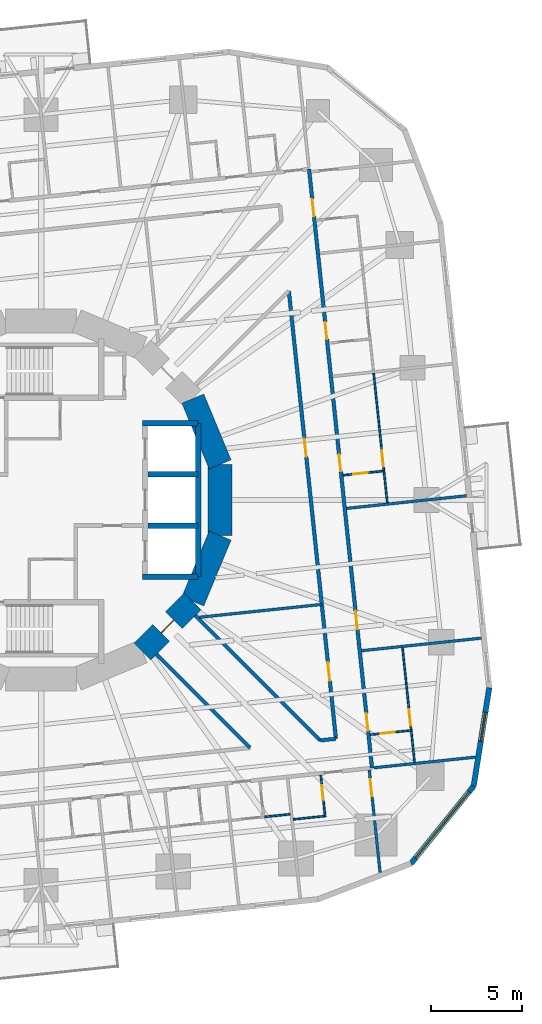
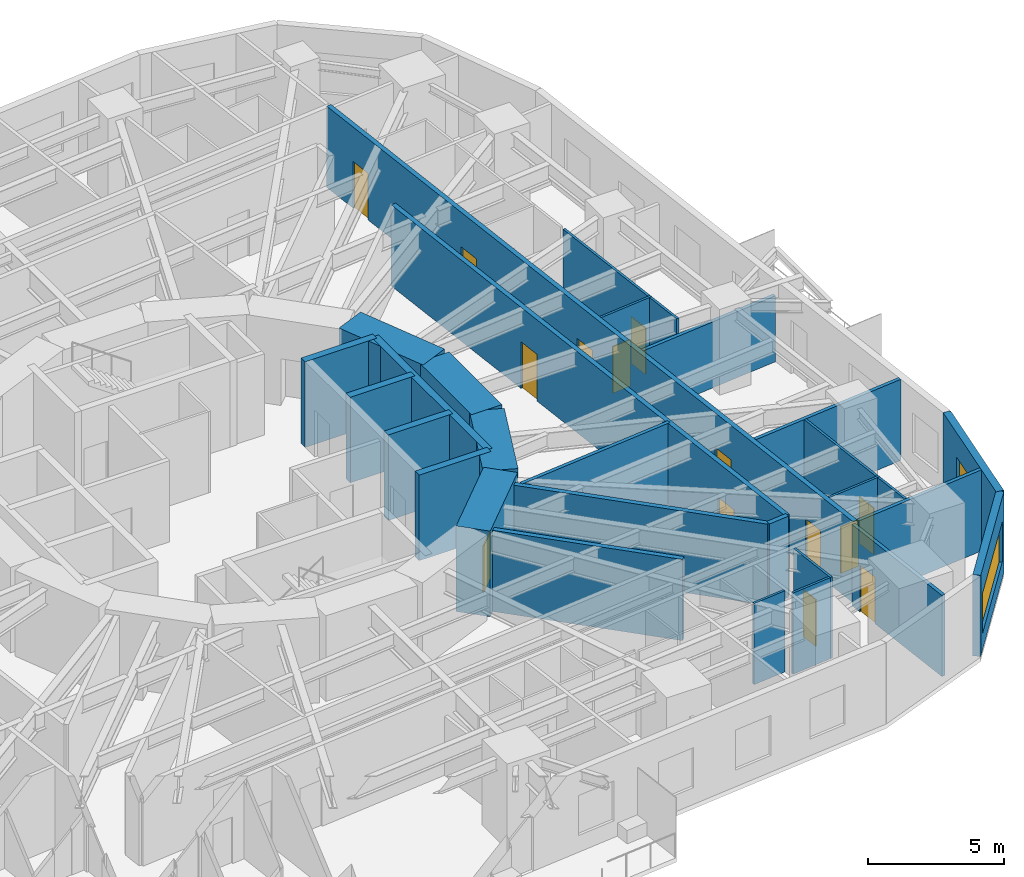
# One storey, part 8 of 13: 30 walls, 14 doors, 2 windows, 16 openings.
"""IFC4 building model written with IfcOpenShell, lengths in metres."""

from ifc_helpers import new_model, si_unit, direction, frame, frame_2d, origin, place, context, subcontext, project, spatial, rectangle, extrude, material, layer, layer_set, type_object, element, fill, save


model = new_model("IFC4")

# Units and contexts
model_context = context("Model", 3, precision=1e-05, world=origin(), true_north=direction((0.0, 1.0)))
body_context = subcontext(model_context, "Body", "Model", "MODEL_VIEW")
ifc_project = project(units=[si_unit("LENGTHUNIT", "METRE"), si_unit("AREAUNIT", "SQUARE_METRE"), si_unit("VOLUMEUNIT", "CUBIC_METRE"), si_unit("PLANEANGLEUNIT", "RADIAN"), si_unit("MASSUNIT", "GRAM", prefix="KILO")], contexts=[model_context])

# Site, building, storey
site_placement = place(None, origin())
site = spatial("IfcSite", under=ifc_project, at=site_placement, CompositionType="ELEMENT")
building_placement = place(site_placement, origin())
building = spatial("IfcBuilding", under=site, at=building_placement, Name="Nakasero Lantern House", CompositionType="ELEMENT")
storey_placement = place(building_placement, frame((0.0, 0.0, 75.89990234375)))
storey = spatial("IfcBuildingStorey", under=building, at=storey_placement, Name="L18", CompositionType="ELEMENT", Elevation=75.89990234375)

# Walls
ifc_material_1 = material(Name="Concrete C50/60", Category="concrete")
ifc_layer_1 = layer(ifc_material_1, 0.300048828125)
ifc_layer_set_1 = layer_set([ifc_layer_1], Name="Core inner wall 300")
wall_type_1 = type_object("IfcWallType", Name="Core inner wall 300", PredefinedType="SHEAR", material=ifc_layer_set_1)
for number, where, z_axis, x_axis, name in (
    (1, (5.550048828125, 4.199951171875, 0.0), (0.0, 0.0, 1.0), (1.0, 0.0, 0.0), "Core inner wall L18 LEN"),
    (2, (5.550048828125, -4.199951171875, 0.0), (0.0, 0.0, 1.0), (1.0, 0.0, 0.0), "Core inner wall L18 LES"),
):
    element("IfcWall", number, at=place(storey_placement, frame(where, z_axis=z_axis, x_axis=x_axis)), inside=storey, type_object=wall_type_1, Name=name, PredefinedType="SHEAR", context=body_context, shape_type="SweptSolid", body=[
        extrude(rectangle(XDim=3.050048828125, YDim=0.300048828125, at=frame_2d((1.52490234375, 0.0))), origin(), (0.0, 0.0, 1.0), 3.85009765625),
    ])
wall_1_placement = place(storey_placement, frame((8.60009765625, -4.199951171875, 0.0), z_axis=(0.0, 0.0, 1.0), x_axis=(0.0, 1.0, 0.0)))
element("IfcWall", 3, at=wall_1_placement, inside=storey, type_object=wall_type_1, Name="Core inner wall L18 LEB", PredefinedType="SHEAR", context=body_context, shape_type="SweptSolid", body=[
    extrude(rectangle(XDim=8.39990234375, YDim=0.300048828125, at=frame_2d((4.199951171875, 0.0))), origin(), (0.0, 0.0, 1.0), 3.85009765625),
])
for number, where, z_axis, x_axis, name in (
    (4, (5.85009765625, -1.39990234375, 0.0), (0.0, 0.0, 1.0), (1.0, 0.0, 0.0), "Core inner wall L18 LE1"),
    (5, (5.85009765625, 1.39990234375, 0.0), (0.0, 0.0, 1.0), (1.0, 0.0, 0.0), "Core inner wall L18 LE2"),
):
    element("IfcWall", number, at=place(storey_placement, frame(where, z_axis=z_axis, x_axis=x_axis)), inside=storey, type_object=wall_type_1, Name=name, PredefinedType="SHEAR", context=body_context, shape_type="SweptSolid", body=[
        extrude(rectangle(XDim=2.75, YDim=0.300048828125, at=frame_2d((1.375, 0.0))), origin(), (0.0, 0.0, 1.0), 3.85009765625),
    ])
ifc_material_2 = material(Name="Concrete C50/60", Category="concrete")
ifc_layer_2 = layer(ifc_material_2, 1.300048828125)
ifc_layer_set_2 = layer_set([ifc_layer_2], Name="Core wall 1300")
wall_type_2 = type_object("IfcWallType", Name="Core wall 1300", PredefinedType="SHEAR", material=ifc_layer_set_2)
wall_2_placement = place(storey_placement, frame((9.807861328125, 1.950927734375, 0.0), z_axis=(0.0, 0.0, 1.0), x_axis=(-0.382690736062, 0.923876507187, 0.0)))
element("IfcWall", 6, at=wall_2_placement, inside=storey, type_object=wall_type_2, Name="Core wall L18 facet 1", PredefinedType="SHEAR", context=body_context, shape_type="SweptSolid", body=[
    extrude(rectangle(XDim=3.90185546875, YDim=1.300048828125, at=frame_2d((1.950927734375, 0.0))), origin(), (0.0, 0.0, 1.0), 3.85009765625),
])

# Wall, opening, door
wall_3_placement = place(storey_placement, frame((5.5556640625, -8.314697265625, 0.0), z_axis=(0.0, 0.0, 1.0), x_axis=(0.707106781187, 0.707106781187, 0.0)))
wall_3 = element("IfcWall", 7, at=wall_3_placement, inside=storey, type_object=wall_type_2, Name="Core wall L18 facet 14", PredefinedType="SHEAR", context=body_context, shape_type="SweptSolid", body=[
    extrude(rectangle(XDim=3.90185546875, YDim=1.300048828125, at=frame_2d((1.950927734375, 0.0))), origin(), (0.0, 0.0, 1.0), 3.85009765625),
])
opening_1_placement = place(wall_3_placement, frame((1.450927734375, 0.0, 0.0)))
opening_1 = element("IfcOpeningElement", 8, at=opening_1_placement, cuts=wall_3, Name="Opening D05", PredefinedType="OPENING", context=body_context, shape_type="SweptSolid", body=[
    extrude(rectangle(XDim=1.0, YDim=2.10009765625, at=frame_2d((0.5, 1.050048828125))), frame((0.0, 0.669921875, 0.0), z_axis=(0.0, -1.0, 0.0), x_axis=(1.0, 0.0, 0.0)), (0.0, 0.0, 1.0), 1.340087890625),
])
ifc_material_3 = material(Name="Timber C24", Category="wood")
door_type_1 = type_object("IfcDoorType", Name="Core door FD60S 1000", OperationType="SINGLE_SWING_LEFT", PredefinedType="DOOR", material=ifc_material_3)
door_1_placement = place(opening_1_placement, origin())
door_1 = element("IfcDoor", 9, at=door_1_placement, inside=storey, type_object=door_type_1, Name="Door L18 D-CORE14", OperationType="SINGLE_SWING_LEFT", OverallHeight=2.10009765625, OverallWidth=1.0, PredefinedType="DOOR", context=body_context, shape_type="SweptSolid", body=[
    extrude(rectangle(XDim=1.0, YDim=2.10009765625, at=frame_2d((0.5, 1.050048828125))), frame((0.0, 0.02490234375, 0.0), z_axis=(0.0, -1.0, 0.0), x_axis=(1.0, 0.0, 0.0)), (0.0, 0.0, 1.0), 0.050048828125),
])
fill(opening_1, door_1)

# Walls
for number, where, z_axis, x_axis, name in (
    (10, (8.314697265625, -5.5556640625, 0.0), (0.0, 0.0, 1.0), (0.382690736062, 0.923876507187, 0.0), "Core wall L18 facet 15"),
    (11, (9.807861328125, -1.950927734375, 0.0), (0.0, 0.0, 1.0), (0.0, 1.0, 0.0), "Core wall L18 facet 16"),
):
    element("IfcWall", number, at=place(storey_placement, frame(where, z_axis=z_axis, x_axis=x_axis)), inside=storey, type_object=wall_type_2, Name=name, PredefinedType="SHEAR", context=body_context, shape_type="SweptSolid", body=[
        extrude(rectangle(XDim=3.90185546875, YDim=1.300048828125, at=frame_2d((1.950927734375, 0.0))), origin(), (0.0, 0.0, 1.0), 3.85009765625),
    ])

# Wall, openings, doors
ifc_material_4 = material(Name="Blockwork", Category="masonry")
ifc_layer_3 = layer(ifc_material_4, 0.199951171875)
ifc_layer_set_3 = layer_set([ifc_layer_3], Name="Corridor wall 200")
wall_type_3 = type_object("IfcWallType", Name="Corridor wall 200", PredefinedType="PARTITIONING", material=ifc_layer_set_3)
wall_4_placement = place(storey_placement, frame((18.13427734375, -14.684814453125, 0.0), z_axis=(0.0, 0.0, 1.0), x_axis=(-0.10452958258, 0.994521777723, 0.0)))
wall_4 = element("IfcWall", 12, at=wall_4_placement, inside=storey, type_object=wall_type_3, Name="Corridor wall L18 CW0", PredefinedType="PARTITIONING", context=body_context, shape_type="SweptSolid", body=[
    extrude(rectangle(XDim=32.999755859375, YDim=0.199951171875, at=frame_2d((16.5, 0.0))), origin(), (0.0, 0.0, 1.0), 3.650146484375),
])
opening_2_placement = place(wall_4_placement, frame((2.050048828125, 0.0, 0.0)))
opening_2 = element("IfcOpeningElement", 13, at=opening_2_placement, cuts=wall_4, Name="Opening D01", PredefinedType="OPENING", context=body_context, shape_type="SweptSolid", body=[
    extrude(rectangle(XDim=0.949951171875, YDim=2.10009765625, at=frame_2d((0.47509765625, 1.050048828125))), frame((0.0, 0.119873046875, 0.0), z_axis=(0.0, -1.0, 0.0), x_axis=(1.0, 0.0, 0.0)), (0.0, 0.0, 1.0), 0.239990234375),
])
opening_3_placement = place(wall_4_placement, frame((16.3427734375, 0.0, 0.0)))
opening_3 = element("IfcOpeningElement", 14, at=opening_3_placement, cuts=wall_4, Name="Opening D01", PredefinedType="OPENING", context=body_context, shape_type="SweptSolid", body=[
    extrude(rectangle(XDim=0.949951171875, YDim=2.10009765625, at=frame_2d((0.47509765625, 1.050048828125))), frame((0.0, 0.119873046875, 0.0), z_axis=(0.0, -1.0, 0.0), x_axis=(1.0, 0.0, 0.0)), (0.0, 0.0, 1.0), 0.239990234375),
])
opening_4_placement = place(wall_4_placement, frame((23.6201171875, 0.0, 0.0)))
opening_4 = element("IfcOpeningElement", 15, at=opening_4_placement, cuts=wall_4, Name="Opening D01", PredefinedType="OPENING", context=body_context, shape_type="SweptSolid", body=[
    extrude(rectangle(XDim=0.949951171875, YDim=2.10009765625, at=frame_2d((0.47509765625, 1.050048828125))), frame((0.0, 0.119873046875, 0.0), z_axis=(0.0, -1.0, 0.0), x_axis=(1.0, 0.0, 0.0)), (0.0, 0.0, 1.0), 0.239990234375),
])
opening_5_placement = place(wall_4_placement, frame((30.39111328125, 0.0, 0.0)))
opening_5 = element("IfcOpeningElement", 16, at=opening_5_placement, cuts=wall_4, Name="Opening D01", PredefinedType="OPENING", context=body_context, shape_type="SweptSolid", body=[
    extrude(rectangle(XDim=0.949951171875, YDim=2.10009765625, at=frame_2d((0.47509765625, 1.050048828125))), frame((0.0, 0.119873046875, 0.0), z_axis=(0.0, -1.0, 0.0), x_axis=(1.0, 0.0, 0.0)), (0.0, 0.0, 1.0), 0.239990234375),
])
opening_6_placement = place(wall_4_placement, frame((7.650634765625, 0.0, 0.0)))
opening_6 = element("IfcOpeningElement", 17, at=opening_6_placement, cuts=wall_4, Name="Opening D03", PredefinedType="OPENING", context=body_context, shape_type="SweptSolid", body=[
    extrude(rectangle(XDim=1.0, YDim=2.10009765625, at=frame_2d((0.5, 1.050048828125))), frame((0.0, 0.119873046875, 0.0), z_axis=(0.0, -1.0, 0.0), x_axis=(1.0, 0.0, 0.0)), (0.0, 0.0, 1.0), 0.239990234375),
])
ifc_material_5 = material(Name="Timber C24", Category="wood")
door_type_2 = type_object("IfcDoorType", Name="Bedroom door FD30S 950", OperationType="SINGLE_SWING_LEFT", PredefinedType="DOOR", material=ifc_material_5)
door_2_placement = place(opening_2_placement, origin())
door_2 = element("IfcDoor", 18, at=door_2_placement, inside=storey, type_object=door_type_2, Name="Door L18 D0-00", OperationType="SINGLE_SWING_LEFT", OverallHeight=2.10009765625, OverallWidth=0.949951171875, PredefinedType="DOOR", context=body_context, shape_type="SweptSolid", body=[
    extrude(rectangle(XDim=0.949951171875, YDim=2.10009765625, at=frame_2d((0.47509765625, 1.050048828125))), frame((0.0, 0.02490234375, 0.0), z_axis=(0.0, -1.0, 0.0), x_axis=(1.0, 0.0, 0.0)), (0.0, 0.0, 1.0), 0.050048828125),
])
fill(opening_2, door_2)
door_3_placement = place(opening_3_placement, origin())
door_3 = element("IfcDoor", 19, at=door_3_placement, inside=storey, type_object=door_type_2, Name="Door L18 D0-04", OperationType="SINGLE_SWING_RIGHT", OverallHeight=2.10009765625, OverallWidth=0.949951171875, PredefinedType="DOOR", context=body_context, shape_type="SweptSolid", body=[
    extrude(rectangle(XDim=0.949951171875, YDim=2.10009765625, at=frame_2d((0.47509765625, 1.050048828125))), frame((0.0, 0.02490234375, 0.0), z_axis=(0.0, -1.0, 0.0), x_axis=(1.0, 0.0, 0.0)), (0.0, 0.0, 1.0), 0.050048828125),
])
fill(opening_3, door_3)
door_4_placement = place(opening_4_placement, origin())
door_4 = element("IfcDoor", 20, at=door_4_placement, inside=storey, type_object=door_type_2, Name="Door L18 D0-06", OperationType="SINGLE_SWING_RIGHT", OverallHeight=2.10009765625, OverallWidth=0.949951171875, PredefinedType="DOOR", context=body_context, shape_type="SweptSolid", body=[
    extrude(rectangle(XDim=0.949951171875, YDim=2.10009765625, at=frame_2d((0.47509765625, 1.050048828125))), frame((0.0, 0.02490234375, 0.0), z_axis=(0.0, -1.0, 0.0), x_axis=(1.0, 0.0, 0.0)), (0.0, 0.0, 1.0), 0.050048828125),
])
fill(opening_4, door_4)
door_5_placement = place(opening_5_placement, origin())
door_5 = element("IfcDoor", 21, at=door_5_placement, inside=storey, type_object=door_type_2, Name="Door L18 D0-08", OperationType="SINGLE_SWING_RIGHT", OverallHeight=2.10009765625, OverallWidth=0.949951171875, PredefinedType="DOOR", context=body_context, shape_type="SweptSolid", body=[
    extrude(rectangle(XDim=0.949951171875, YDim=2.10009765625, at=frame_2d((0.47509765625, 1.050048828125))), frame((0.0, 0.02490234375, 0.0), z_axis=(0.0, -1.0, 0.0), x_axis=(1.0, 0.0, 0.0)), (0.0, 0.0, 1.0), 0.050048828125),
])
fill(opening_5, door_5)
ifc_material_6 = material(Name="Timber C24", Category="wood")
door_type_3 = type_object("IfcDoorType", Name="Lounge door FD30S 1000", OperationType="SINGLE_SWING_LEFT", PredefinedType="DOOR", material=ifc_material_6)
door_6_placement = place(opening_6_placement, origin())
door_6 = element("IfcDoor", 22, at=door_6_placement, inside=storey, type_object=door_type_3, Name="Door L18 DK0", OperationType="SINGLE_SWING_LEFT", OverallHeight=2.10009765625, OverallWidth=1.0, PredefinedType="DOOR", context=body_context, shape_type="SweptSolid", body=[
    extrude(rectangle(XDim=1.0, YDim=2.10009765625, at=frame_2d((0.5, 1.050048828125))), frame((0.0, 0.02490234375, 0.0), z_axis=(0.0, -1.0, 0.0), x_axis=(1.0, 0.0, 0.0)), (0.0, 0.0, 1.0), 0.050048828125),
])
fill(opening_6, door_6)

wall_5_placement = place(storey_placement, frame((16.156005859375, -13.0830078125, 0.0), z_axis=(0.0, 0.0, 1.0), x_axis=(-0.104528202096, 0.994521922819, 0.0)))
wall_5 = element("IfcWall", 23, at=wall_5_placement, inside=storey, type_object=wall_type_3, Name="Corridor wall L18 IW0-0", PredefinedType="PARTITIONING", context=body_context, shape_type="SweptSolid", body=[
    extrude(rectangle(XDim=24.673828125, YDim=0.199951171875, at=frame_2d((12.3369140625, 0.0))), origin(), (0.0, 0.0, 1.0), 3.650146484375),
])
opening_7_placement = place(wall_5_placement, frame((3.201171875, 0.0, 0.0)))
opening_7 = element("IfcOpeningElement", 24, at=opening_7_placement, cuts=wall_5, Name="Opening D07", PredefinedType="OPENING", context=body_context, shape_type="SweptSolid", body=[
    extrude(rectangle(XDim=1.0, YDim=2.10009765625, at=frame_2d((0.5, 1.050048828125))), frame((0.0, 0.119873046875, 0.0), z_axis=(0.0, -1.0, 0.0), x_axis=(1.0, 0.0, 0.0)), (0.0, 0.0, 1.0), 0.239990234375),
])
opening_8_placement = place(wall_5_placement, frame((15.537841796875, 0.0, 0.0)))
opening_8 = element("IfcOpeningElement", 25, at=opening_8_placement, cuts=wall_5, Name="Opening D07", PredefinedType="OPENING", context=body_context, shape_type="SweptSolid", body=[
    extrude(rectangle(XDim=1.0, YDim=2.10009765625, at=frame_2d((0.5, 1.050048828125))), frame((0.0, 0.119873046875, 0.0), z_axis=(0.0, -1.0, 0.0), x_axis=(1.0, 0.0, 0.0)), (0.0, 0.0, 1.0), 0.239990234375),
])
ifc_material_7 = material(Name="Timber C24", Category="wood")
door_type_4 = type_object("IfcDoorType", Name="Room door FD30S 1000", OperationType="SINGLE_SWING_LEFT", PredefinedType="DOOR", material=ifc_material_7)
door_7_placement = place(opening_7_placement, origin())
door_7 = element("IfcDoor", 26, at=door_7_placement, inside=storey, type_object=door_type_4, Name="Door L18 DI1", OperationType="SINGLE_SWING_LEFT", OverallHeight=2.10009765625, OverallWidth=1.0, PredefinedType="DOOR", context=body_context, shape_type="SweptSolid", body=[
    extrude(rectangle(XDim=1.0, YDim=2.10009765625, at=frame_2d((0.5, 1.050048828125))), frame((0.0, 0.02490234375, 0.0), z_axis=(0.0, -1.0, 0.0), x_axis=(1.0, 0.0, 0.0)), (0.0, 0.0, 1.0), 0.050048828125),
])
fill(opening_7, door_7)
door_8_placement = place(opening_8_placement, origin())
door_8 = element("IfcDoor", 27, at=door_8_placement, inside=storey, type_object=door_type_4, Name="Door L18 DI1S", OperationType="SINGLE_SWING_RIGHT", OverallHeight=2.10009765625, OverallWidth=1.0, PredefinedType="DOOR", context=body_context, shape_type="SweptSolid", body=[
    extrude(rectangle(XDim=1.0, YDim=2.10009765625, at=frame_2d((0.5, 1.050048828125))), frame((0.0, 0.02490234375, 0.0), z_axis=(0.0, -1.0, 0.0), x_axis=(1.0, 0.0, 0.0)), (0.0, 0.0, 1.0), 0.050048828125),
])
fill(opening_8, door_8)

# Walls
wall_6_placement = place(storey_placement, frame((8.45556640625, -6.334228515625, 0.0), z_axis=(0.0, 0.0, 1.0), x_axis=(0.707106781187, -0.707106781187, 0.0)))
element("IfcWall", 28, at=wall_6_placement, inside=storey, type_object=wall_type_3, Name="Corridor wall L18 PS14a", PredefinedType="PARTITIONING", context=body_context, shape_type="SweptSolid", body=[
    extrude(rectangle(XDim=9.671875, YDim=0.199951171875, at=frame_2d((4.8359375, 0.0))), origin(), (0.0, 0.0, 1.0), 3.650146484375),
])
wall_7_placement = place(storey_placement, frame((6.334228515625, -8.45556640625, 0.0), z_axis=(0.0, 0.0, 1.0), x_axis=(0.707106781187, -0.707106781187, 0.0)))
element("IfcWall", 29, at=wall_7_placement, inside=storey, type_object=wall_type_3, Name="Corridor wall L18 PS14b", PredefinedType="PARTITIONING", context=body_context, shape_type="SweptSolid", body=[
    extrude(rectangle(XDim=7.24267578125, YDim=0.199951171875, at=frame_2d((3.621337890625, 0.0))), origin(), (0.0, 0.0, 1.0), 3.650146484375),
])
wall_8_placement = place(storey_placement, frame((16.156005859375, -13.0830078125, 0.0), z_axis=(0.0, 0.0, 1.0), x_axis=(-0.994545540927, -0.104303245505, 0.0)))
element("IfcWall", 30, at=wall_8_placement, inside=storey, type_object=wall_type_3, Name="Corridor wall L18 IW0-0R0", PredefinedType="PARTITIONING", context=body_context, shape_type="SweptSolid", body=[
    extrude(rectangle(XDim=0.865966796875, YDim=0.199951171875, at=frame_2d((0.43310546875, 0.0))), origin(), (0.0, 0.0, 1.0), 3.650146484375),
])

# Wall, opening, door
ifc_material_8 = material(Name="Blockwork", Category="masonry")
ifc_layer_4 = layer(ifc_material_8, 0.10009765625)
ifc_layer_set_4 = layer_set([ifc_layer_4], Name="En-suite wall 100")
wall_type_4 = type_object("IfcWallType", Name="En-suite wall 100", PredefinedType="PARTITIONING", material=ifc_layer_set_4)
wall_9_placement = place(storey_placement, frame((18.04296875, -12.859375, 0.0), z_axis=(0.0, 0.0, 1.0), x_axis=(0.994529855142, 0.104452703326, 0.0)))
wall_9 = element("IfcWall", 31, at=wall_9_placement, inside=storey, type_object=wall_type_4, Name="En-suite wall L18 ES0-00", PredefinedType="PARTITIONING", context=body_context, shape_type="SweptSolid", body=[
    extrude(rectangle(XDim=2.300048828125, YDim=0.10009765625, at=frame_2d((1.14990234375, 0.0))), origin(), (0.0, 0.0, 1.0), 3.650146484375),
])
opening_9_placement = place(wall_9_placement, frame((0.550048828125, 0.0, 0.0)))
opening_9 = element("IfcOpeningElement", 32, at=opening_9_placement, cuts=wall_9, Name="Opening D02", PredefinedType="OPENING", context=body_context, shape_type="SweptSolid", body=[
    extrude(rectangle(XDim=0.800048828125, YDim=2.10009765625, at=frame_2d((0.39990234375, 1.050048828125))), frame((0.0, 0.070068359375, 0.0), z_axis=(0.0, -1.0, 0.0), x_axis=(1.0, 0.0, 0.0)), (0.0, 0.0, 1.0), 0.14013671875),
])
ifc_material_9 = material(Name="Timber C24", Category="wood")
door_type_5 = type_object("IfcDoorType", Name="En-suite door 800", OperationType="SINGLE_SWING_RIGHT", PredefinedType="DOOR", material=ifc_material_9)
door_9_placement = place(opening_9_placement, origin())
door_9 = element("IfcDoor", 33, at=door_9_placement, inside=storey, type_object=door_type_5, Name="Door L18 DE0-00", OperationType="SINGLE_SWING_LEFT", OverallHeight=2.10009765625, OverallWidth=0.800048828125, PredefinedType="DOOR", context=body_context, shape_type="SweptSolid", body=[
    extrude(rectangle(XDim=0.800048828125, YDim=2.10009765625, at=frame_2d((0.39990234375, 1.050048828125))), frame((0.0, 0.02490234375, 0.0), z_axis=(0.0, -1.0, 0.0), x_axis=(1.0, 0.0, 0.0)), (0.0, 0.0, 1.0), 0.050048828125),
])
fill(opening_9, door_9)

# Wall
wall_10_placement = place(storey_placement, frame((20.463623046875, -14.36474609375, 0.0), z_axis=(0.0, 0.0, 1.0), x_axis=(-0.104550220202, 0.994519608382, 0.0)))
element("IfcWall", 34, at=wall_10_placement, inside=storey, type_object=wall_type_4, Name="En-suite wall L18 EE0-00", PredefinedType="PARTITIONING", context=body_context, shape_type="SweptSolid", body=[
    extrude(rectangle(XDim=1.699951171875, YDim=0.10009765625, at=frame_2d((0.85009765625, 0.0))), origin(), (0.0, 0.0, 1.0), 3.650146484375),
])

# Wall, opening, door
wall_11_placement = place(storey_placement, frame((16.549072265625, 1.35498046875, 0.0), z_axis=(0.0, 0.0, 1.0), x_axis=(0.994518822602, 0.104557694553, 0.0)))
wall_11 = element("IfcWall", 35, at=wall_11_placement, inside=storey, type_object=wall_type_4, Name="En-suite wall L18 ES0-04", PredefinedType="PARTITIONING", context=body_context, shape_type="SweptSolid", body=[
    extrude(rectangle(XDim=2.300048828125, YDim=0.10009765625, at=frame_2d((1.14990234375, 0.0))), origin(), (0.0, 0.0, 1.0), 3.650146484375),
])
opening_10_placement = place(wall_11_placement, frame((0.550048828125, 0.0, 0.0)))
opening_10 = element("IfcOpeningElement", 36, at=opening_10_placement, cuts=wall_11, Name="Opening D02", PredefinedType="OPENING", context=body_context, shape_type="SweptSolid", body=[
    extrude(rectangle(XDim=0.800048828125, YDim=2.10009765625, at=frame_2d((0.39990234375, 1.050048828125))), frame((0.0, 0.070068359375, 0.0), z_axis=(0.0, -1.0, 0.0), x_axis=(1.0, 0.0, 0.0)), (0.0, 0.0, 1.0), 0.14013671875),
])
door_10_placement = place(opening_10_placement, origin())
door_10 = element("IfcDoor", 37, at=door_10_placement, inside=storey, type_object=door_type_5, Name="Door L18 DE0-04", OperationType="SINGLE_SWING_LEFT", OverallHeight=2.10009765625, OverallWidth=0.800048828125, PredefinedType="DOOR", context=body_context, shape_type="SweptSolid", body=[
    extrude(rectangle(XDim=0.800048828125, YDim=2.10009765625, at=frame_2d((0.39990234375, 1.050048828125))), frame((0.0, 0.02490234375, 0.0), z_axis=(0.0, -1.0, 0.0), x_axis=(1.0, 0.0, 0.0)), (0.0, 0.0, 1.0), 0.050048828125),
])
fill(opening_10, door_10)

# Walls
wall_12_placement = place(storey_placement, frame((18.9697265625, -0.150146484375, 0.0), z_axis=(0.0, 0.0, 1.0), x_axis=(-0.104550220202, 0.994519608382, 0.0)))
element("IfcWall", 38, at=wall_12_placement, inside=storey, type_object=wall_type_4, Name="En-suite wall L18 EE0-04", PredefinedType="PARTITIONING", context=body_context, shape_type="SweptSolid", body=[
    extrude(rectangle(XDim=1.699951171875, YDim=0.10009765625, at=frame_2d((0.85009765625, 0.0))), origin(), (0.0, 0.0, 1.0), 3.650146484375),
])
wall_13_placement = place(storey_placement, frame((12.248291015625, -17.36474609375, 0.0), z_axis=(0.0, 0.0, 1.0), x_axis=(0.994529315664, 0.104457839748, 0.0)))
element("IfcWall", 39, at=wall_13_placement, inside=storey, type_object=wall_type_4, Name="En-suite wall L18 EE3-07", PredefinedType="PARTITIONING", context=body_context, shape_type="SweptSolid", body=[
    extrude(rectangle(XDim=1.39990234375, YDim=0.10009765625, at=frame_2d((0.699951171875, 0.0))), origin(), (0.0, 0.0, 1.0), 3.650146484375),
])

# Wall, opening, door
wall_14_placement = place(storey_placement, frame((15.326416015625, -15.08056640625, 0.0), z_axis=(0.0, 0.0, 1.0), x_axis=(0.104557694553, -0.994518822602, 0.0)))
wall_14 = element("IfcWall", 40, at=wall_14_placement, inside=storey, type_object=wall_type_4, Name="En-suite wall L18 ES3-08", PredefinedType="PARTITIONING", context=body_context, shape_type="SweptSolid", body=[
    extrude(rectangle(XDim=2.300048828125, YDim=0.10009765625, at=frame_2d((1.14990234375, 0.0))), origin(), (0.0, 0.0, 1.0), 3.650146484375),
])
opening_11_placement = place(wall_14_placement, frame((0.550048828125, 0.0, 0.0)))
opening_11 = element("IfcOpeningElement", 41, at=opening_11_placement, cuts=wall_14, Name="Opening D02", PredefinedType="OPENING", context=body_context, shape_type="SweptSolid", body=[
    extrude(rectangle(XDim=0.800048828125, YDim=2.10009765625, at=frame_2d((0.39990234375, 1.050048828125))), frame((0.0, 0.070068359375, 0.0), z_axis=(0.0, -1.0, 0.0), x_axis=(1.0, 0.0, 0.0)), (0.0, 0.0, 1.0), 0.14013671875),
])
door_11_placement = place(opening_11_placement, origin())
door_11 = element("IfcDoor", 42, at=door_11_placement, inside=storey, type_object=door_type_5, Name="Door L18 DE3-08", OperationType="SINGLE_SWING_LEFT", OverallHeight=2.10009765625, OverallWidth=0.800048828125, PredefinedType="DOOR", context=body_context, shape_type="SweptSolid", body=[
    extrude(rectangle(XDim=0.800048828125, YDim=2.10009765625, at=frame_2d((0.39990234375, 1.050048828125))), frame((0.0, 0.02490234375, 0.0), z_axis=(0.0, -1.0, 0.0), x_axis=(1.0, 0.0, 0.0)), (0.0, 0.0, 1.0), 0.050048828125),
])
fill(opening_11, door_11)

# Wall
wall_15_placement = place(storey_placement, frame((13.8212890625, -17.501220703125, 0.0), z_axis=(0.0, 0.0, 1.0), x_axis=(0.994519608382, 0.104550220202, 0.0)))
element("IfcWall", 43, at=wall_15_placement, inside=storey, type_object=wall_type_4, Name="En-suite wall L18 EE3-08", PredefinedType="PARTITIONING", context=body_context, shape_type="SweptSolid", body=[
    extrude(rectangle(XDim=1.699951171875, YDim=0.10009765625, at=frame_2d((0.85009765625, 0.0))), origin(), (0.0, 0.0, 1.0), 3.650146484375),
])

# Wall, opening, door
wall_16_placement = place(storey_placement, frame((20.275390625, -12.574462890625, 0.0), z_axis=(0.0, 0.0, 1.0), x_axis=(-0.104535119414, 0.994521195757, 0.0)))
wall_16 = element("IfcWall", 44, at=wall_16_placement, inside=storey, type_object=wall_type_4, Name="En-suite wall L18 EL0-00", PredefinedType="PARTITIONING", context=body_context, shape_type="SweptSolid", body=[
    extrude(rectangle(XDim=4.50048828125, YDim=0.10009765625, at=frame_2d((2.250244140625, 0.0))), origin(), (0.0, 0.0, 1.0), 3.650146484375),
])
opening_12_placement = place(wall_16_placement, frame((0.199951171875, 0.0, 0.0)))
opening_12 = element("IfcOpeningElement", 45, at=opening_12_placement, cuts=wall_16, Name="Opening D17", PredefinedType="OPENING", context=body_context, shape_type="SweptSolid", body=[
    extrude(rectangle(XDim=0.89990234375, YDim=2.10009765625, at=frame_2d((0.449951171875, 1.050048828125))), frame((0.0, 0.070068359375, 0.0), z_axis=(0.0, -1.0, 0.0), x_axis=(1.0, 0.0, 0.0)), (0.0, 0.0, 1.0), 0.14013671875),
])
ifc_material_10 = material(Name="Timber C24", Category="wood")
door_type_6 = type_object("IfcDoorType", Name="Bedroom door FD30S 900", OperationType="SINGLE_SWING_LEFT", PredefinedType="DOOR", material=ifc_material_10)
door_12_placement = place(opening_12_placement, origin())
door_12 = element("IfcDoor", 46, at=door_12_placement, inside=storey, type_object=door_type_6, Name="Door L18 DL0-00", OperationType="SINGLE_SWING_LEFT", OverallHeight=2.10009765625, OverallWidth=0.89990234375, PredefinedType="DOOR", context=body_context, shape_type="SweptSolid", body=[
    extrude(rectangle(XDim=0.89990234375, YDim=2.10009765625, at=frame_2d((0.449951171875, 1.050048828125))), frame((0.0, 0.02490234375, 0.0), z_axis=(0.0, -1.0, 0.0), x_axis=(1.0, 0.0, 0.0)), (0.0, 0.0, 1.0), 0.050048828125),
])
fill(opening_12, door_12)

wall_17_placement = place(storey_placement, frame((18.781494140625, 1.639892578125, 0.0), z_axis=(0.0, 0.0, 1.0), x_axis=(-0.10453449141, 0.994521261767, 0.0)))
wall_17 = element("IfcWall", 47, at=wall_17_placement, inside=storey, type_object=wall_type_4, Name="En-suite wall L18 EL0-04", PredefinedType="PARTITIONING", context=body_context, shape_type="SweptSolid", body=[
    extrude(rectangle(XDim=5.327392578125, YDim=0.10009765625, at=frame_2d((2.66357421875, 0.0))), origin(), (0.0, 0.0, 1.0), 3.650146484375),
])
opening_13_placement = place(wall_17_placement, frame((0.199951171875, 0.0, 0.0)))
opening_13 = element("IfcOpeningElement", 48, at=opening_13_placement, cuts=wall_17, Name="Opening D17", PredefinedType="OPENING", context=body_context, shape_type="SweptSolid", body=[
    extrude(rectangle(XDim=0.89990234375, YDim=2.10009765625, at=frame_2d((0.449951171875, 1.050048828125))), frame((0.0, 0.070068359375, 0.0), z_axis=(0.0, -1.0, 0.0), x_axis=(1.0, 0.0, 0.0)), (0.0, 0.0, 1.0), 0.14013671875),
])
door_13_placement = place(opening_13_placement, origin())
door_13 = element("IfcDoor", 49, at=door_13_placement, inside=storey, type_object=door_type_6, Name="Door L18 DL0-04", OperationType="SINGLE_SWING_LEFT", OverallHeight=2.10009765625, OverallWidth=0.89990234375, PredefinedType="DOOR", context=body_context, shape_type="SweptSolid", body=[
    extrude(rectangle(XDim=0.89990234375, YDim=2.10009765625, at=frame_2d((0.449951171875, 1.050048828125))), frame((0.0, 0.02490234375, 0.0), z_axis=(0.0, -1.0, 0.0), x_axis=(1.0, 0.0, 0.0)), (0.0, 0.0, 1.0), 0.050048828125),
])
fill(opening_13, door_13)

# Wall, opening, window
ifc_material_11 = material(Name="Aluminium rainscreen on blockwork", Category="masonry")
ifc_layer_5 = layer(ifc_material_11, 0.300048828125)
ifc_layer_set_5 = layer_set([ifc_layer_5], Name="Facade wall 300")
wall_type_5 = type_object("IfcWallType", Name="Facade wall 300", PredefinedType="SOLIDWALL", material=ifc_layer_set_5)
wall_18_placement = place(storey_placement, frame((20.26904296875, -19.927001953125, 0.0), z_axis=(0.0, 0.0, 1.0), x_axis=(0.629334543442, 0.777134500863, 0.0)))
wall_18 = element("IfcWall", 50, at=wall_18_placement, inside=storey, type_object=wall_type_5, Name="Facade wall L18 FW3C2", PredefinedType="SOLIDWALL", context=body_context, shape_type="SweptSolid", body=[
    extrude(rectangle(XDim=5.4609375, YDim=0.300048828125, at=frame_2d((2.73046875, 0.0))), origin(), (0.0, 0.0, 1.0), 3.650146484375),
])
opening_14_placement = place(wall_18_placement, frame((0.39990234375, 0.0, 0.75)))
opening_14 = element("IfcOpeningElement", 51, at=opening_14_placement, cuts=wall_18, Name="Opening W246", PredefinedType="OPENING", context=body_context, shape_type="SweptSolid", body=[
    extrude(rectangle(XDim=4.660888671875, YDim=1.800048828125, at=frame_2d((2.33056640625, 0.89990234375))), frame((0.0, 0.169921875, 0.0), z_axis=(0.0, -1.0, 0.0), x_axis=(1.0, 0.0, 0.0)), (0.0, 0.0, 1.0), 0.340087890625),
])
ifc_material_12 = material(Name="Aluminium 6063-T6 and glass", Category="aluminium")
window_type_1 = type_object("IfcWindowType", Name="Corner window 4661x1800", PartitioningType="SINGLE_PANEL", PredefinedType="WINDOW", material=ifc_material_12)
window_1_placement = place(opening_14_placement, origin())
window_1 = element("IfcWindow", 52, at=window_1_placement, inside=storey, type_object=window_type_1, Name="Window L18 WC3", OverallHeight=1.800048828125, OverallWidth=4.660888671875, PartitioningType="SINGLE_PANEL", PredefinedType="WINDOW", context=body_context, shape_type="SweptSolid", body=[
    extrude(rectangle(XDim=4.660888671875, YDim=1.800048828125, at=frame_2d((2.33056640625, 0.89990234375))), frame((0.0, 0.030029296875, 0.0), z_axis=(0.0, -1.0, 0.0), x_axis=(1.0, 0.0, 0.0)), (0.0, 0.0, 1.0), 0.06005859375),
])
fill(opening_14, window_1)

wall_19_placement = place(storey_placement, frame((23.705810546875, -15.68310546875, 0.0), z_axis=(0.0, 0.0, 1.0), x_axis=(0.156419383601, 0.987690729142, 0.0)))
wall_19 = element("IfcWall", 53, at=wall_19_placement, inside=storey, type_object=wall_type_5, Name="Facade wall L18 FW3C3", PredefinedType="SOLIDWALL", context=body_context, shape_type="SweptSolid", body=[
    extrude(rectangle(XDim=5.461181640625, YDim=0.300048828125, at=frame_2d((2.73046875, 0.0))), origin(), (0.0, 0.0, 1.0), 3.650146484375),
])
opening_15_placement = place(wall_19_placement, frame((2.5, 0.0, 0.75)))
opening_15 = element("IfcOpeningElement", 54, at=opening_15_placement, cuts=wall_19, Name="Opening W01", PredefinedType="OPENING", context=body_context, shape_type="SweptSolid", body=[
    extrude(rectangle(XDim=1.60009765625, YDim=1.800048828125, at=frame_2d((0.800048828125, 0.89990234375))), frame((0.0, 0.169921875, 0.0), z_axis=(0.0, -1.0, 0.0), x_axis=(1.0, 0.0, 0.0)), (0.0, 0.0, 1.0), 0.340087890625),
])
ifc_material_13 = material(Name="Aluminium 6063-T6 and glass", Category="aluminium")
window_type_2 = type_object("IfcWindowType", Name="Bedroom window 1600x1800", PartitioningType="SINGLE_PANEL", PredefinedType="WINDOW", material=ifc_material_13)
window_2_placement = place(opening_15_placement, origin())
window_2 = element("IfcWindow", 55, at=window_2_placement, inside=storey, type_object=window_type_2, Name="Window L18 WN0-00", OverallHeight=1.800048828125, OverallWidth=1.60009765625, PartitioningType="SINGLE_PANEL", PredefinedType="WINDOW", context=body_context, shape_type="SweptSolid", body=[
    extrude(rectangle(XDim=1.60009765625, YDim=1.800048828125, at=frame_2d((0.800048828125, 0.89990234375))), frame((0.0, 0.030029296875, 0.0), z_axis=(0.0, -1.0, 0.0), x_axis=(1.0, 0.0, 0.0)), (0.0, 0.0, 1.0), 0.06005859375),
])
fill(opening_15, window_2)

# Walls
ifc_material_14 = material(Name="Blockwork", Category="masonry")
ifc_layer_6 = layer(ifc_material_14, 0.14990234375)
ifc_layer_set_6 = layer_set([ifc_layer_6], Name="Party wall 150")
wall_type_6 = type_object("IfcWallType", Name="Party wall 150", PredefinedType="PARTITIONING", material=ifc_layer_set_6)
wall_20_placement = place(storey_placement, frame((18.23388671875, -14.674560546875, 0.0), z_axis=(0.0, 0.0, 1.0), x_axis=(0.994520498284, 0.104541754786, 0.0)))
element("IfcWall", 56, at=wall_20_placement, inside=storey, type_object=wall_type_6, Name="Party wall L18 PW0-00", PredefinedType="PARTITIONING", context=body_context, shape_type="SweptSolid", body=[
    extrude(rectangle(XDim=5.597900390625, YDim=0.14990234375, at=frame_2d((2.798828125, 0.0))), origin(), (0.0, 0.0, 1.0), 3.650146484375),
])
wall_21_placement = place(storey_placement, frame((17.5595703125, -8.25927734375, 0.0), z_axis=(0.0, 0.0, 1.0), x_axis=(0.994520846901, 0.104538438287, 0.0)))
element("IfcWall", 57, at=wall_21_placement, inside=storey, type_object=wall_type_6, Name="Party wall L18 PW0-02", PredefinedType="PARTITIONING", context=body_context, shape_type="SweptSolid", body=[
    extrude(rectangle(XDim=6.599853515625, YDim=0.14990234375, at=frame_2d((3.2998046875, 0.0))), origin(), (0.0, 0.0, 1.0), 3.650146484375),
])
wall_22_placement = place(storey_placement, frame((16.73974609375, -0.4599609375, 0.0), z_axis=(0.0, 0.0, 1.0), x_axis=(0.994521251134, 0.104534592565, 0.0)))
element("IfcWall", 58, at=wall_22_placement, inside=storey, type_object=wall_type_6, Name="Party wall L18 PW0-04", PredefinedType="PARTITIONING", context=body_context, shape_type="SweptSolid", body=[
    extrude(rectangle(XDim=6.60009765625, YDim=0.14990234375, at=frame_2d((3.300048828125, 0.0))), origin(), (0.0, 0.0, 1.0), 2.966552734375),
])

# Wall, opening, door
wall_23_placement = place(storey_placement, frame((17.9853515625, -14.801025390625, 0.0), z_axis=(0.0, 0.0, 1.0), x_axis=(0.104520320471, -0.994522751177, 0.0)))
wall_23 = element("IfcWall", 59, at=wall_23_placement, inside=storey, type_object=wall_type_6, Name="Party wall L18 PC3", PredefinedType="PARTITIONING", context=body_context, shape_type="SweptSolid", body=[
    extrude(rectangle(XDim=5.64111328125, YDim=0.14990234375, at=frame_2d((2.820556640625, 0.0))), origin(), (0.0, 0.0, 1.0), 3.650146484375),
])
opening_16_placement = place(wall_23_placement, frame((0.5, 0.0, 0.0)))
opening_16 = element("IfcOpeningElement", 60, at=opening_16_placement, cuts=wall_23, Name="Opening D01", PredefinedType="OPENING", context=body_context, shape_type="SweptSolid", body=[
    extrude(rectangle(XDim=0.949951171875, YDim=2.10009765625, at=frame_2d((0.47509765625, 1.050048828125))), frame((0.0, 0.094970703125, 0.0), z_axis=(0.0, -1.0, 0.0), x_axis=(1.0, 0.0, 0.0)), (0.0, 0.0, 1.0), 0.18994140625),
])
door_14_placement = place(opening_16_placement, origin())
door_14 = element("IfcDoor", 61, at=door_14_placement, inside=storey, type_object=door_type_2, Name="Door L18 DC3", OperationType="SINGLE_SWING_LEFT", OverallHeight=2.10009765625, OverallWidth=0.949951171875, PredefinedType="DOOR", context=body_context, shape_type="SweptSolid", body=[
    extrude(rectangle(XDim=0.949951171875, YDim=2.10009765625, at=frame_2d((0.47509765625, 1.050048828125))), frame((0.0, 0.02490234375, 0.0), z_axis=(0.0, -1.0, 0.0), x_axis=(1.0, 0.0, 0.0)), (0.0, 0.0, 1.0), 0.050048828125),
])
fill(opening_16, door_14)

# Wall
wall_24_placement = place(storey_placement, frame((8.687744140625, -6.425048828125, 0.0), z_axis=(0.0, 0.0, 1.0), x_axis=(0.994522133784, 0.104526194871, 0.0)))
element("IfcWall", 62, at=wall_24_placement, inside=storey, type_object=wall_type_6, Name="Party wall L18 IS1", PredefinedType="PARTITIONING", context=body_context, shape_type="SweptSolid", body=[
    extrude(rectangle(XDim=6.7314453125, YDim=0.14990234375, at=frame_2d((3.36572265625, 0.0))), origin(), (0.0, 0.0, 1.0), 3.650146484375),
])

save(model, "model.ifc")
